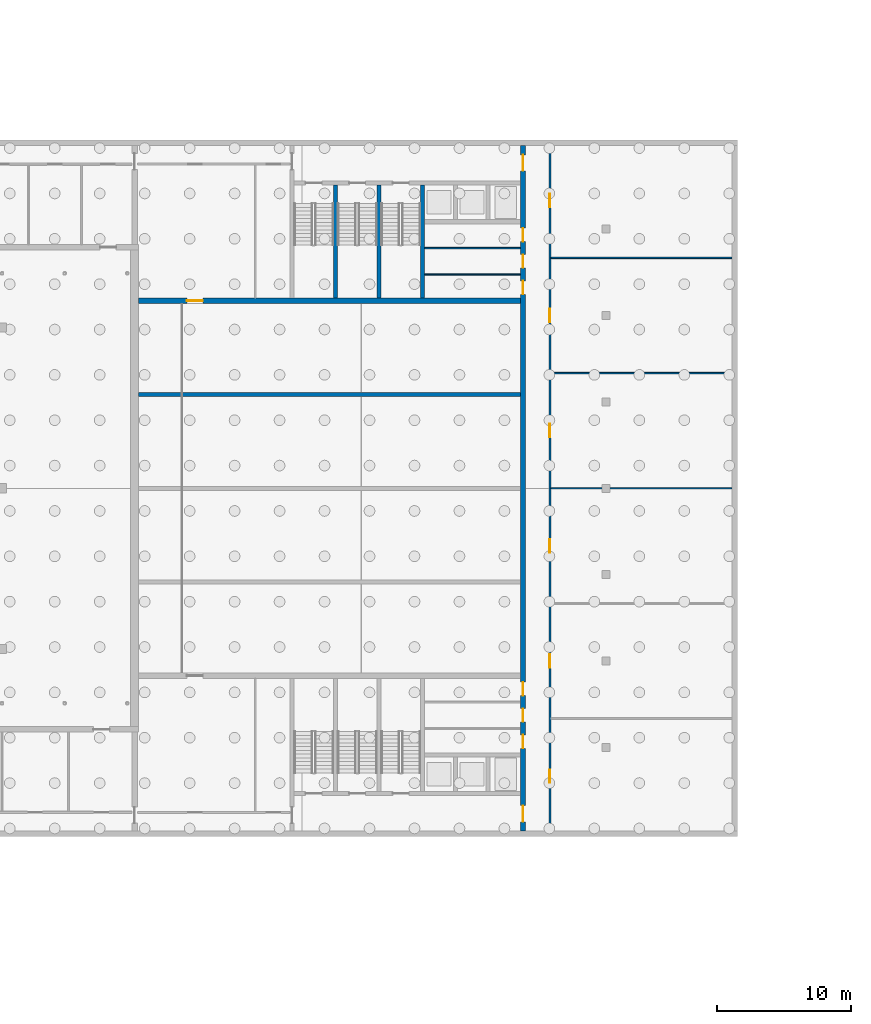
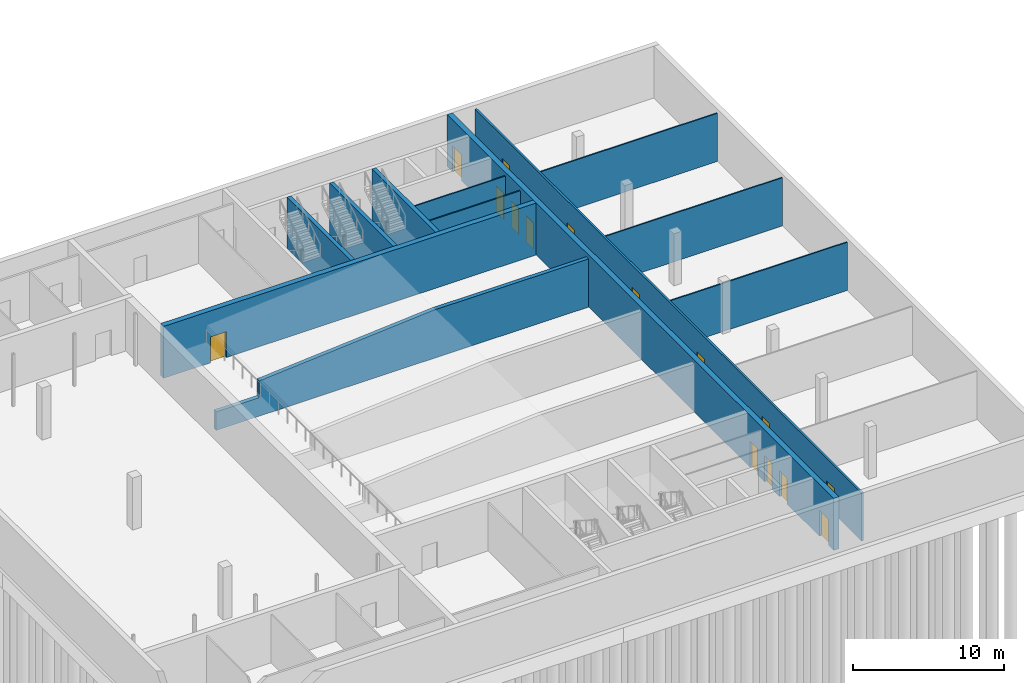
# One storey, part 12 of 32: 15 doors, 12 walls, 15 openings.
"""IFC4 building model written with IfcOpenShell, lengths in metres."""

from ifc_helpers import new_model, si_unit, direction, frame, frame_2d, origin, place, context, subcontext, project, spatial, polyline, rectangle, outline, extrude, material, layer, layer_set, type_object, element, fill, save


model = new_model("IFC4")

# Units and contexts
model_context = context("Model", 3, precision=1e-05, world=origin(), true_north=direction((0.0, 1.0)))
body_context = subcontext(model_context, "Body", "Model", "MODEL_VIEW")
ifc_project = project(units=[si_unit("LENGTHUNIT", "METRE"), si_unit("AREAUNIT", "SQUARE_METRE"), si_unit("VOLUMEUNIT", "CUBIC_METRE"), si_unit("PLANEANGLEUNIT", "RADIAN"), si_unit("MASSUNIT", "GRAM", prefix="KILO")], contexts=[model_context])

# Site, building, storey
site_placement = place(None, origin())
site = spatial("IfcSite", under=ifc_project, at=site_placement, CompositionType="ELEMENT")
building_placement = place(site_placement, origin())
building = spatial("IfcBuilding", under=site, at=building_placement, Name="Noorbagh Ring Tower", CompositionType="ELEMENT")
storey_placement = place(building_placement, frame((0.0, 0.0, -4.199951171875)))
storey = spatial("IfcBuildingStorey", under=building, at=storey_placement, Name="B1", CompositionType="ELEMENT", Elevation=-4.199951171875)

# Walls
ifc_material_1 = material(Name="Gypsum board on steel studs", Category="steel")
ifc_layer_1 = layer(ifc_material_1, 0.10009765625)
ifc_layer_set_1 = layer_set([ifc_layer_1], Name="Gypsum board on steel studs")
wall_type_1 = type_object("IfcWallType", Name="TH-PART-100", PredefinedType="PARTITIONING", material=ifc_layer_set_1)
for number, where, z_axis, x_axis, name in (
    (1, (-108.925048828125, 5.0, 0.0), (0.0, 0.0, 1.0), (1.0, 0.0, 0.0), "B1/th-wall/034"),
    (2, (-108.925048828125, 13.60009765625, 0.0), (0.0, 0.0, 1.0), (1.0, 0.0, 0.0), "B1/th-wall/035"),
):
    element("IfcWall", number, at=place(storey_placement, frame(where, z_axis=z_axis, x_axis=x_axis)), inside=storey, type_object=wall_type_1, Name=name, PredefinedType="PARTITIONING", context=body_context, shape_type="SweptSolid", body=[
        extrude(rectangle(XDim=13.525146484375, YDim=0.10009765625, at=frame_2d((6.7626953125, 0.0))), origin(), (0.0, 0.0, 1.0), 3.89990234375),
    ])
wall_1_placement = place(storey_placement, frame((-118.35009765625, 20.967041015625, 0.0), z_axis=(0.0, 0.0, 1.0), x_axis=(1.0, 0.0, 0.0)))
element("IfcWall", 3, at=wall_1_placement, inside=storey, type_object=wall_type_1, Name="B1/th-wall/036", PredefinedType="PARTITIONING", context=body_context, shape_type="SweptSolid", body=[
    extrude(rectangle(XDim=7.150146484375, YDim=0.10009765625, at=frame_2d((3.5751953125, 0.0))), origin(), (0.0, 0.0, 1.0), 3.89990234375),
])
wall_2_placement = place(storey_placement, frame((-108.925048828125, 22.199951171875, 0.0), z_axis=(0.0, 0.0, 1.0), x_axis=(1.0, 0.0, 0.0)))
element("IfcWall", 4, at=wall_2_placement, inside=storey, type_object=wall_type_1, Name="B1/th-wall/037", PredefinedType="PARTITIONING", context=body_context, shape_type="SweptSolid", body=[
    extrude(rectangle(XDim=13.525146484375, YDim=0.10009765625, at=frame_2d((6.7626953125, 0.0))), origin(), (0.0, 0.0, 1.0), 3.89990234375),
])
wall_3_placement = place(storey_placement, frame((-118.35009765625, 22.93310546875, 0.0), z_axis=(0.0, 0.0, 1.0), x_axis=(1.0, 0.0, 0.0)))
element("IfcWall", 5, at=wall_3_placement, inside=storey, type_object=wall_type_1, Name="B1/th-wall/038", PredefinedType="PARTITIONING", context=body_context, shape_type="SweptSolid", body=[
    extrude(rectangle(XDim=7.150146484375, YDim=0.10009765625, at=frame_2d((3.5751953125, 0.0))), origin(), (0.0, 0.0, 1.0), 3.89990234375),
])

# Wall, openings, doors
ifc_material_2 = material(Name="Gypsum board on steel studs", Category="steel")
ifc_layer_2 = layer(ifc_material_2, 0.14990234375)
ifc_layer_set_2 = layer_set([ifc_layer_2], Name="Gypsum board on steel studs")
wall_type_2 = type_object("IfcWallType", Name="TH-PART-150", PredefinedType="PARTITIONING", material=ifc_layer_set_2)
wall_4_placement = place(storey_placement, frame((-109.0, -20.60009765625, 0.0), z_axis=(0.0, 0.0, 1.0), x_axis=(0.0, 1.0, 0.0)))
wall_4 = element("IfcWall", 6, at=wall_4_placement, inside=storey, type_object=wall_type_2, Name="B1/th-wall/050", PredefinedType="PARTITIONING", context=body_context, shape_type="SweptSolid", body=[
    extrude(rectangle(XDim=51.2001953125, YDim=0.14990234375, at=frame_2d((25.60009765625, 0.0))), origin(), (0.0, 0.0, 1.0), 3.89990234375),
])
opening_1_placement = place(wall_4_placement, frame((3.60009765625, 0.0, 0.0)))
opening_1 = element("IfcOpeningElement", 7, at=opening_1_placement, cuts=wall_4, Name="Opening TB1-D28", PredefinedType="OPENING", context=body_context, shape_type="SweptSolid", body=[
    extrude(rectangle(XDim=1.0, YDim=2.10009765625, at=frame_2d((0.5, 1.050048828125))), frame((0.0, 0.0849609375, 0.0), z_axis=(0.0, -1.0, 0.0), x_axis=(1.0, 0.0, 0.0)), (0.0, 0.0, 1.0), 0.169921875),
])
opening_2_placement = place(wall_4_placement, frame((12.199951171875, 0.0, 0.0)))
opening_2 = element("IfcOpeningElement", 8, at=opening_2_placement, cuts=wall_4, Name="Opening TB1-D29", PredefinedType="OPENING", context=body_context, shape_type="SweptSolid", body=[
    extrude(rectangle(XDim=1.0, YDim=2.10009765625, at=frame_2d((0.5, 1.050048828125))), frame((0.0, 0.0849609375, 0.0), z_axis=(0.0, -1.0, 0.0), x_axis=(1.0, 0.0, 0.0)), (0.0, 0.0, 1.0), 0.169921875),
])
opening_3_placement = place(wall_4_placement, frame((20.800048828125, 0.0, 0.0)))
opening_3 = element("IfcOpeningElement", 9, at=opening_3_placement, cuts=wall_4, Name="Opening TB1-D30", PredefinedType="OPENING", context=body_context, shape_type="SweptSolid", body=[
    extrude(rectangle(XDim=1.0, YDim=2.10009765625, at=frame_2d((0.5, 1.050048828125))), frame((0.0, 0.0849609375, 0.0), z_axis=(0.0, -1.0, 0.0), x_axis=(1.0, 0.0, 0.0)), (0.0, 0.0, 1.0), 0.169921875),
])
opening_4_placement = place(wall_4_placement, frame((29.39990234375, 0.0, 0.0)))
opening_4 = element("IfcOpeningElement", 10, at=opening_4_placement, cuts=wall_4, Name="Opening TB1-D31", PredefinedType="OPENING", context=body_context, shape_type="SweptSolid", body=[
    extrude(rectangle(XDim=1.0, YDim=2.10009765625, at=frame_2d((0.5, 1.050048828125))), frame((0.0, 0.0849609375, 0.0), z_axis=(0.0, -1.0, 0.0), x_axis=(1.0, 0.0, 0.0)), (0.0, 0.0, 1.0), 0.169921875),
])
opening_5_placement = place(wall_4_placement, frame((38.0, 0.0, 0.0)))
opening_5 = element("IfcOpeningElement", 11, at=opening_5_placement, cuts=wall_4, Name="Opening TB1-D32", PredefinedType="OPENING", context=body_context, shape_type="SweptSolid", body=[
    extrude(rectangle(XDim=1.0, YDim=2.10009765625, at=frame_2d((0.5, 1.050048828125))), frame((0.0, 0.0849609375, 0.0), z_axis=(0.0, -1.0, 0.0), x_axis=(1.0, 0.0, 0.0)), (0.0, 0.0, 1.0), 0.169921875),
])
opening_6_placement = place(wall_4_placement, frame((46.60009765625, 0.0, 0.0)))
opening_6 = element("IfcOpeningElement", 12, at=opening_6_placement, cuts=wall_4, Name="Opening TB1-D33", PredefinedType="OPENING", context=body_context, shape_type="SweptSolid", body=[
    extrude(rectangle(XDim=1.0, YDim=2.10009765625, at=frame_2d((0.5, 1.050048828125))), frame((0.0, 0.0849609375, 0.0), z_axis=(0.0, -1.0, 0.0), x_axis=(1.0, 0.0, 0.0)), (0.0, 0.0, 1.0), 0.169921875),
])
ifc_material_3 = material(Name="Timber", Category="wood")
door_type_1 = type_object("IfcDoorType", Name="TH-DOOR-1000", OperationType="SINGLE_SWING_LEFT", PredefinedType="DOOR", material=ifc_material_3)
door_1_placement = place(opening_1_placement, origin())
door_1 = element("IfcDoor", 13, at=door_1_placement, inside=storey, type_object=door_type_1, Name="Door Corridor to Water tank room TB1-D28", OperationType="SINGLE_SWING_LEFT", OverallHeight=2.10009765625, OverallWidth=1.0, PredefinedType="DOOR", context=body_context, shape_type="SweptSolid", body=[
    extrude(rectangle(XDim=1.0, YDim=2.10009765625, at=frame_2d((0.5, 1.050048828125))), frame((0.0, 0.02490234375, 0.0), z_axis=(0.0, -1.0, 0.0), x_axis=(1.0, 0.0, 0.0)), (0.0, 0.0, 1.0), 0.050048828125),
])
fill(opening_1, door_1)
door_2_placement = place(opening_2_placement, origin())
door_2 = element("IfcDoor", 14, at=door_2_placement, inside=storey, type_object=door_type_1, Name="Door Corridor to Generator room TB1-D29", OperationType="SINGLE_SWING_LEFT", OverallHeight=2.10009765625, OverallWidth=1.0, PredefinedType="DOOR", context=body_context, shape_type="SweptSolid", body=[
    extrude(rectangle(XDim=1.0, YDim=2.10009765625, at=frame_2d((0.5, 1.050048828125))), frame((0.0, 0.02490234375, 0.0), z_axis=(0.0, -1.0, 0.0), x_axis=(1.0, 0.0, 0.0)), (0.0, 0.0, 1.0), 0.050048828125),
])
fill(opening_2, door_2)
door_3_placement = place(opening_3_placement, origin())
door_3 = element("IfcDoor", 15, at=door_3_placement, inside=storey, type_object=door_type_1, Name="Door Corridor to Electrical room TB1-D30", OperationType="SINGLE_SWING_LEFT", OverallHeight=2.10009765625, OverallWidth=1.0, PredefinedType="DOOR", context=body_context, shape_type="SweptSolid", body=[
    extrude(rectangle(XDim=1.0, YDim=2.10009765625, at=frame_2d((0.5, 1.050048828125))), frame((0.0, 0.02490234375, 0.0), z_axis=(0.0, -1.0, 0.0), x_axis=(1.0, 0.0, 0.0)), (0.0, 0.0, 1.0), 0.050048828125),
])
fill(opening_3, door_3)
door_4_placement = place(opening_4_placement, origin())
door_4 = element("IfcDoor", 16, at=door_4_placement, inside=storey, type_object=door_type_1, Name="Door Corridor to Sprinkler tank room TB1-D31", OperationType="SINGLE_SWING_RIGHT", OverallHeight=2.10009765625, OverallWidth=1.0, PredefinedType="DOOR", context=body_context, shape_type="SweptSolid", body=[
    extrude(rectangle(XDim=1.0, YDim=2.10009765625, at=frame_2d((0.5, 1.050048828125))), frame((0.0, 0.02490234375, 0.0), z_axis=(0.0, -1.0, 0.0), x_axis=(1.0, 0.0, 0.0)), (0.0, 0.0, 1.0), 0.050048828125),
])
fill(opening_4, door_4)
door_5_placement = place(opening_5_placement, origin())
door_5 = element("IfcDoor", 17, at=door_5_placement, inside=storey, type_object=door_type_1, Name="Door Corridor to Refuse room TB1-D32", OperationType="SINGLE_SWING_RIGHT", OverallHeight=2.10009765625, OverallWidth=1.0, PredefinedType="DOOR", context=body_context, shape_type="SweptSolid", body=[
    extrude(rectangle(XDim=1.0, YDim=2.10009765625, at=frame_2d((0.5, 1.050048828125))), frame((0.0, 0.02490234375, 0.0), z_axis=(0.0, -1.0, 0.0), x_axis=(1.0, 0.0, 0.0)), (0.0, 0.0, 1.0), 0.050048828125),
])
fill(opening_5, door_5)
door_6_placement = place(opening_6_placement, origin())
door_6 = element("IfcDoor", 18, at=door_6_placement, inside=storey, type_object=door_type_1, Name="Door Corridor to Bin store TB1-D33", OperationType="SINGLE_SWING_RIGHT", OverallHeight=2.10009765625, OverallWidth=1.0, PredefinedType="DOOR", context=body_context, shape_type="SweptSolid", body=[
    extrude(rectangle(XDim=1.0, YDim=2.10009765625, at=frame_2d((0.5, 1.050048828125))), frame((0.0, 0.02490234375, 0.0), z_axis=(0.0, -1.0, 0.0), x_axis=(1.0, 0.0, 0.0)), (0.0, 0.0, 1.0), 0.050048828125),
])
fill(opening_6, door_6)

# Walls
ifc_material_4 = material(Name="Concrete C50/60", Category="concrete")
ifc_layer_3 = layer(ifc_material_4, 0.300048828125)
ifc_layer_set_3 = layer_set([ifc_layer_3], Name="Concrete C50/60")
wall_type_3 = type_object("IfcWallType", Name="TH-WALL-CORE", PredefinedType="SHEAR", material=ifc_layer_set_3)
for number, where, z_axis, x_axis, name in (
    (19, (-125.0, 19.199951171875, 0.0), (0.0, 0.0, 1.0), (0.0, 1.0, 0.0), "Stair wall"),
    (20, (-121.75, 19.199951171875, 0.0), (0.0, 0.0, 1.0), (0.0, 1.0, 0.0), "Stair wall"),
    (21, (-118.5, 19.199951171875, 0.0), (0.0, 0.0, 1.0), (0.0, 1.0, 0.0), "Stair wall"),
):
    element("IfcWall", number, at=place(storey_placement, frame(where, z_axis=z_axis, x_axis=x_axis)), inside=storey, type_object=wall_type_3, Name=name, PredefinedType="SHEAR", context=body_context, shape_type="SweptSolid", body=[
        extrude(rectangle(XDim=8.449951171875, YDim=0.300048828125, at=frame_2d((4.22509765625, 0.0))), origin(), (0.0, 0.0, 1.0), 4.199951171875),
    ])

# Wall, opening, door
ifc_material_5 = material(Name="Concrete C50/60", Category="concrete")
ifc_layer_4 = layer(ifc_material_5, 0.39990234375)
ifc_layer_set_4 = layer_set([ifc_layer_4], Name="Concrete C50/60")
wall_type_4 = type_object("IfcWallType", Name="TH-WALL-HALL", PredefinedType="SOLIDWALL", material=ifc_layer_set_4)
wall_5_placement = place(storey_placement, frame((-139.699951171875, 19.0, 0.0), z_axis=(0.0, 0.0, 1.0), x_axis=(1.0, 0.0, 0.0)))
wall_5 = element("IfcWall", 22, at=wall_5_placement, inside=storey, type_object=wall_type_4, Name="Auditorium wall north", PredefinedType="SOLIDWALL", context=body_context, shape_type="SweptSolid", body=[
    extrude(rectangle(XDim=28.5, YDim=0.39990234375, at=frame_2d((14.25, 0.0))), origin(), (0.0, 0.0, 1.0), 4.199951171875),
])
opening_7_placement = place(wall_5_placement, frame((3.60009765625, 0.0, 0.0)))
opening_7 = element("IfcOpeningElement", 23, at=opening_7_placement, cuts=wall_5, Name="Opening TB1-D27", PredefinedType="OPENING", context=body_context, shape_type="SweptSolid", body=[
    extrude(rectangle(XDim=1.199951171875, YDim=2.10009765625, at=frame_2d((0.60009765625, 1.050048828125))), frame((0.0, 0.2099609375, 0.0), z_axis=(0.0, -1.0, 0.0), x_axis=(1.0, 0.0, 0.0)), (0.0, 0.0, 1.0), 0.419921875),
])
ifc_material_6 = material(Name="Steel", Category="steel")
door_type_2 = type_object("IfcDoorType", Name="TH-DOOR-FIRE-1200", OperationType="SINGLE_SWING_LEFT", PredefinedType="DOOR", material=ifc_material_6)
door_7_placement = place(opening_7_placement, origin())
door_7 = element("IfcDoor", 24, at=door_7_placement, inside=storey, type_object=door_type_2, Name="Door Chiller plant room to Auditorium air plenum TB1-D27", OperationType="SINGLE_SWING_LEFT", OverallHeight=2.10009765625, OverallWidth=1.199951171875, PredefinedType="DOOR", context=body_context, shape_type="SweptSolid", body=[
    extrude(rectangle(XDim=1.199951171875, YDim=2.10009765625, at=frame_2d((0.60009765625, 1.050048828125))), frame((0.0, 0.02490234375, 0.0), z_axis=(0.0, -1.0, 0.0), x_axis=(1.0, 0.0, 0.0)), (0.0, 0.0, 1.0), 0.050048828125),
])
fill(opening_7, door_7)

# Wall, openings, doors
wall_6_placement = place(storey_placement, frame((-111.0, -20.60009765625, 0.0), z_axis=(0.0, 0.0, 1.0), x_axis=(0.0, 1.0, 0.0)))
wall_6 = element("IfcWall", 25, at=wall_6_placement, inside=storey, type_object=wall_type_4, Name="Auditorium rear wall", PredefinedType="SOLIDWALL", context=body_context, shape_type="SweptSolid", body=[
    extrude(rectangle(XDim=51.2001953125, YDim=0.39990234375, at=frame_2d((25.60009765625, 0.0))), origin(), (0.0, 0.0, 1.0), 4.199951171875),
])
opening_8_placement = place(wall_6_placement, frame((0.699951171875, 0.0, 0.0)))
opening_8 = element("IfcOpeningElement", 26, at=opening_8_placement, cuts=wall_6, Name="Opening TB1-D34", PredefinedType="OPENING", context=body_context, shape_type="SweptSolid", body=[
    extrude(rectangle(XDim=1.199951171875, YDim=2.10009765625, at=frame_2d((0.60009765625, 1.050048828125))), frame((0.0, 0.2099609375, 0.0), z_axis=(0.0, -1.0, 0.0), x_axis=(1.0, 0.0, 0.0)), (0.0, 0.0, 1.0), 0.419921875),
])
opening_9_placement = place(wall_6_placement, frame((6.18408203125, 0.0, 0.0)))
opening_9 = element("IfcOpeningElement", 27, at=opening_9_placement, cuts=wall_6, Name="Opening TB1-D35", PredefinedType="OPENING", context=body_context, shape_type="SweptSolid", body=[
    extrude(rectangle(XDim=1.0, YDim=2.10009765625, at=frame_2d((0.5, 1.050048828125))), frame((0.0, 0.2099609375, 0.0), z_axis=(0.0, -1.0, 0.0), x_axis=(1.0, 0.0, 0.0)), (0.0, 0.0, 1.0), 0.419921875),
])
opening_10_placement = place(wall_6_placement, frame((8.14990234375, 0.0, 0.0)))
opening_10 = element("IfcOpeningElement", 28, at=opening_10_placement, cuts=wall_6, Name="Opening TB1-D36", PredefinedType="OPENING", context=body_context, shape_type="SweptSolid", body=[
    extrude(rectangle(XDim=1.0, YDim=2.10009765625, at=frame_2d((0.5, 1.050048828125))), frame((0.0, 0.2099609375, 0.0), z_axis=(0.0, -1.0, 0.0), x_axis=(1.0, 0.0, 0.0)), (0.0, 0.0, 1.0), 0.419921875),
])
opening_11_placement = place(wall_6_placement, frame((10.116943359375, 0.0, 0.0)))
opening_11 = element("IfcOpeningElement", 29, at=opening_11_placement, cuts=wall_6, Name="Opening TB1-D37", PredefinedType="OPENING", context=body_context, shape_type="SweptSolid", body=[
    extrude(rectangle(XDim=1.0, YDim=2.10009765625, at=frame_2d((0.5, 1.050048828125))), frame((0.0, 0.2099609375, 0.0), z_axis=(0.0, -1.0, 0.0), x_axis=(1.0, 0.0, 0.0)), (0.0, 0.0, 1.0), 0.419921875),
])
opening_12_placement = place(wall_6_placement, frame((49.300048828125, 0.0, 0.0)))
opening_12 = element("IfcOpeningElement", 30, at=opening_12_placement, cuts=wall_6, Name="Opening TB1-D38", PredefinedType="OPENING", context=body_context, shape_type="SweptSolid", body=[
    extrude(rectangle(XDim=1.199951171875, YDim=2.10009765625, at=frame_2d((0.60009765625, 1.050048828125))), frame((0.0, 0.2099609375, 0.0), z_axis=(0.0, -1.0, 0.0), x_axis=(1.0, 0.0, 0.0)), (0.0, 0.0, 1.0), 0.419921875),
])
opening_13_placement = place(wall_6_placement, frame((44.01708984375, 0.0, 0.0)))
opening_13 = element("IfcOpeningElement", 31, at=opening_13_placement, cuts=wall_6, Name="Opening TB1-D39", PredefinedType="OPENING", context=body_context, shape_type="SweptSolid", body=[
    extrude(rectangle(XDim=1.0, YDim=2.10009765625, at=frame_2d((0.5, 1.050048828125))), frame((0.0, 0.2099609375, 0.0), z_axis=(0.0, -1.0, 0.0), x_axis=(1.0, 0.0, 0.0)), (0.0, 0.0, 1.0), 0.419921875),
])
opening_14_placement = place(wall_6_placement, frame((42.050048828125, 0.0, 0.0)))
opening_14 = element("IfcOpeningElement", 32, at=opening_14_placement, cuts=wall_6, Name="Opening TB1-D40", PredefinedType="OPENING", context=body_context, shape_type="SweptSolid", body=[
    extrude(rectangle(XDim=1.0, YDim=2.10009765625, at=frame_2d((0.5, 1.050048828125))), frame((0.0, 0.2099609375, 0.0), z_axis=(0.0, -1.0, 0.0), x_axis=(1.0, 0.0, 0.0)), (0.0, 0.0, 1.0), 0.419921875),
])
opening_15_placement = place(wall_6_placement, frame((40.083984375, 0.0, 0.0)))
opening_15 = element("IfcOpeningElement", 33, at=opening_15_placement, cuts=wall_6, Name="Opening TB1-D41", PredefinedType="OPENING", context=body_context, shape_type="SweptSolid", body=[
    extrude(rectangle(XDim=1.0, YDim=2.10009765625, at=frame_2d((0.5, 1.050048828125))), frame((0.0, 0.2099609375, 0.0), z_axis=(0.0, -1.0, 0.0), x_axis=(1.0, 0.0, 0.0)), (0.0, 0.0, 1.0), 0.419921875),
])
ifc_material_7 = material(Name="Steel", Category="steel")
door_type_3 = type_object("IfcDoorType", Name="TH-DOOR-FIRE-1000", OperationType="SINGLE_SWING_LEFT", PredefinedType="DOOR", material=ifc_material_7)
door_8_placement = place(opening_9_placement, origin())
door_8 = element("IfcDoor", 34, at=door_8_placement, inside=storey, type_object=door_type_3, Name="Door Corridor to Electrical riser room TB1-D35", OperationType="SINGLE_SWING_RIGHT", OverallHeight=2.10009765625, OverallWidth=1.0, PredefinedType="DOOR", context=body_context, shape_type="SweptSolid", body=[
    extrude(rectangle(XDim=1.0, YDim=2.10009765625, at=frame_2d((0.5, 1.050048828125))), frame((0.0, 0.02490234375, 0.0), z_axis=(0.0, -1.0, 0.0), x_axis=(1.0, 0.0, 0.0)), (0.0, 0.0, 1.0), 0.050048828125),
])
fill(opening_9, door_8)
door_9_placement = place(opening_10_placement, origin())
door_9 = element("IfcDoor", 35, at=door_9_placement, inside=storey, type_object=door_type_3, Name="Door Corridor to Communications room TB1-D36", OperationType="SINGLE_SWING_RIGHT", OverallHeight=2.10009765625, OverallWidth=1.0, PredefinedType="DOOR", context=body_context, shape_type="SweptSolid", body=[
    extrude(rectangle(XDim=1.0, YDim=2.10009765625, at=frame_2d((0.5, 1.050048828125))), frame((0.0, 0.02490234375, 0.0), z_axis=(0.0, -1.0, 0.0), x_axis=(1.0, 0.0, 0.0)), (0.0, 0.0, 1.0), 0.050048828125),
])
fill(opening_10, door_9)
door_10_placement = place(opening_11_placement, origin())
door_10 = element("IfcDoor", 36, at=door_10_placement, inside=storey, type_object=door_type_3, Name="Door Corridor to Cleaner's store TB1-D37", OperationType="SINGLE_SWING_RIGHT", OverallHeight=2.10009765625, OverallWidth=1.0, PredefinedType="DOOR", context=body_context, shape_type="SweptSolid", body=[
    extrude(rectangle(XDim=1.0, YDim=2.10009765625, at=frame_2d((0.5, 1.050048828125))), frame((0.0, 0.02490234375, 0.0), z_axis=(0.0, -1.0, 0.0), x_axis=(1.0, 0.0, 0.0)), (0.0, 0.0, 1.0), 0.050048828125),
])
fill(opening_11, door_10)
door_11_placement = place(opening_13_placement, origin())
door_11 = element("IfcDoor", 37, at=door_11_placement, inside=storey, type_object=door_type_3, Name="Door Corridor to Chorus WC TB1-D39", OperationType="SINGLE_SWING_LEFT", OverallHeight=2.10009765625, OverallWidth=1.0, PredefinedType="DOOR", context=body_context, shape_type="SweptSolid", body=[
    extrude(rectangle(XDim=1.0, YDim=2.10009765625, at=frame_2d((0.5, 1.050048828125))), frame((0.0, 0.02490234375, 0.0), z_axis=(0.0, -1.0, 0.0), x_axis=(1.0, 0.0, 0.0)), (0.0, 0.0, 1.0), 0.050048828125),
])
fill(opening_13, door_11)
door_12_placement = place(opening_14_placement, origin())
door_12 = element("IfcDoor", 38, at=door_12_placement, inside=storey, type_object=door_type_3, Name="Door Corridor to Accessible WC TB1-D40", OperationType="SINGLE_SWING_LEFT", OverallHeight=2.10009765625, OverallWidth=1.0, PredefinedType="DOOR", context=body_context, shape_type="SweptSolid", body=[
    extrude(rectangle(XDim=1.0, YDim=2.10009765625, at=frame_2d((0.5, 1.050048828125))), frame((0.0, 0.02490234375, 0.0), z_axis=(0.0, -1.0, 0.0), x_axis=(1.0, 0.0, 0.0)), (0.0, 0.0, 1.0), 0.050048828125),
])
fill(opening_14, door_12)
door_13_placement = place(opening_15_placement, origin())
door_13 = element("IfcDoor", 39, at=door_13_placement, inside=storey, type_object=door_type_3, Name="Door Corridor to Cleaner's store TB1-D41", OperationType="SINGLE_SWING_LEFT", OverallHeight=2.10009765625, OverallWidth=1.0, PredefinedType="DOOR", context=body_context, shape_type="SweptSolid", body=[
    extrude(rectangle(XDim=1.0, YDim=2.10009765625, at=frame_2d((0.5, 1.050048828125))), frame((0.0, 0.02490234375, 0.0), z_axis=(0.0, -1.0, 0.0), x_axis=(1.0, 0.0, 0.0)), (0.0, 0.0, 1.0), 0.050048828125),
])
fill(opening_15, door_13)
door_14_placement = place(opening_8_placement, origin())
door_14 = element("IfcDoor", 40, at=door_14_placement, inside=storey, type_object=door_type_2, Name="Door Corridor to Exit lobby TB1-D34", OperationType="SINGLE_SWING_RIGHT", OverallHeight=2.10009765625, OverallWidth=1.199951171875, PredefinedType="DOOR", context=body_context, shape_type="SweptSolid", body=[
    extrude(rectangle(XDim=1.199951171875, YDim=2.10009765625, at=frame_2d((0.60009765625, 1.050048828125))), frame((0.0, 0.02490234375, 0.0), z_axis=(0.0, -1.0, 0.0), x_axis=(1.0, 0.0, 0.0)), (0.0, 0.0, 1.0), 0.050048828125),
])
fill(opening_8, door_14)
door_15_placement = place(opening_12_placement, origin())
door_15 = element("IfcDoor", 41, at=door_15_placement, inside=storey, type_object=door_type_2, Name="Door Corridor to Exit lobby TB1-D38", OperationType="SINGLE_SWING_LEFT", OverallHeight=2.10009765625, OverallWidth=1.199951171875, PredefinedType="DOOR", context=body_context, shape_type="SweptSolid", body=[
    extrude(rectangle(XDim=1.199951171875, YDim=2.10009765625, at=frame_2d((0.60009765625, 1.050048828125))), frame((0.0, 0.02490234375, 0.0), z_axis=(0.0, -1.0, 0.0), x_axis=(1.0, 0.0, 0.0)), (0.0, 0.0, 1.0), 0.050048828125),
])
fill(opening_12, door_15)

# Wall
ifc_material_8 = material(Name="Concrete C40/50", Category="concrete")
ifc_layer_5 = layer(ifc_material_8, 0.300048828125)
ifc_layer_set_5 = layer_set([ifc_layer_5], Name="Concrete C40/50")
wall_type_5 = type_object("IfcWallType", Name="TH-WALL-RAKER", PredefinedType="SOLIDWALL", material=ifc_layer_set_5)
wall_7_placement = place(storey_placement, frame((-139.699951171875, 12.0, 0.0), z_axis=(0.0, 0.0, 1.0), x_axis=(1.0, 0.0, 0.0)))
element("IfcWall", 42, at=wall_7_placement, inside=storey, type_object=wall_type_5, Name="Raker wall 3", PredefinedType="SOLIDWALL", context=body_context, shape_type="SweptSolid", body=[
    extrude(outline(polyline([(0.0, 0.0), (28.5, 0.0), (28.5, 3.89990234375), (16.60107421875, 3.89990234375), (16.60009765625, 3.899169921875), (3.301025390625, 2.84912109375), (3.300048828125, 1.5), (0.0, 1.5), (0.0, 0.0)])), frame((0.0, 0.14990234375, 0.0), z_axis=(0.0, -1.0, 0.0), x_axis=(1.0, 0.0, 0.0)), (0.0, 0.0, 1.0), 0.300048828125),
])

save(model, "model.ifc")
